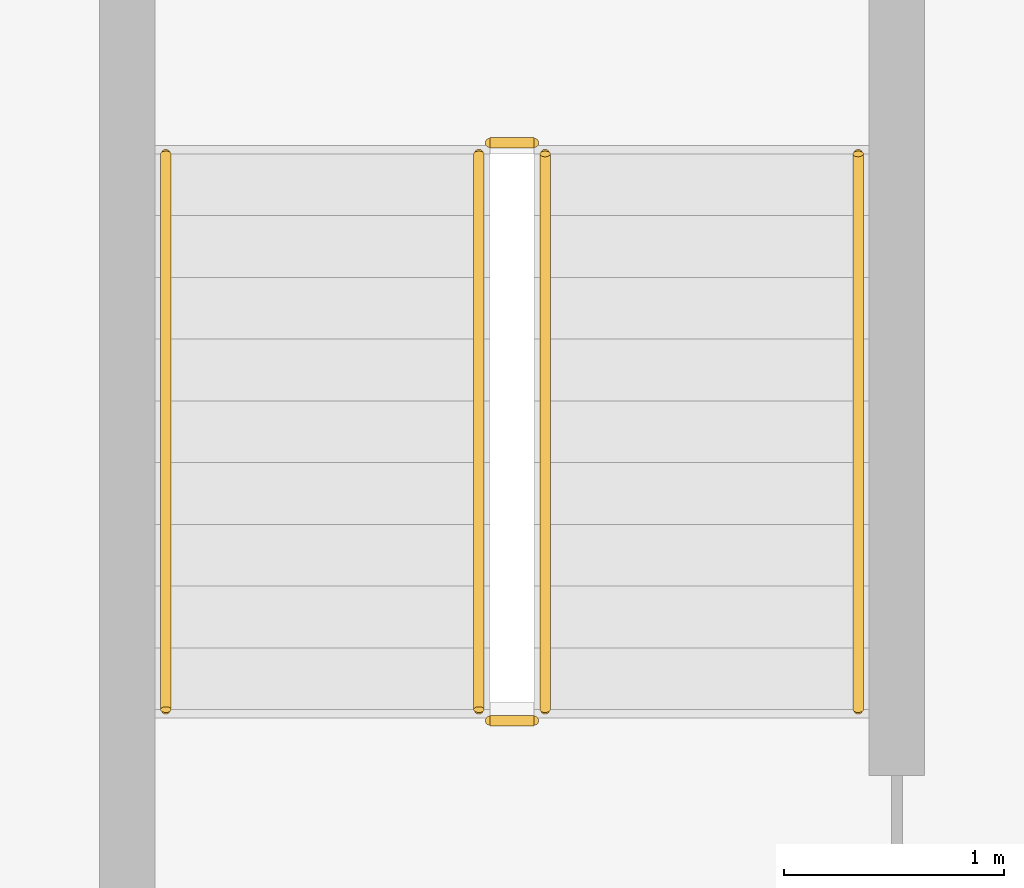
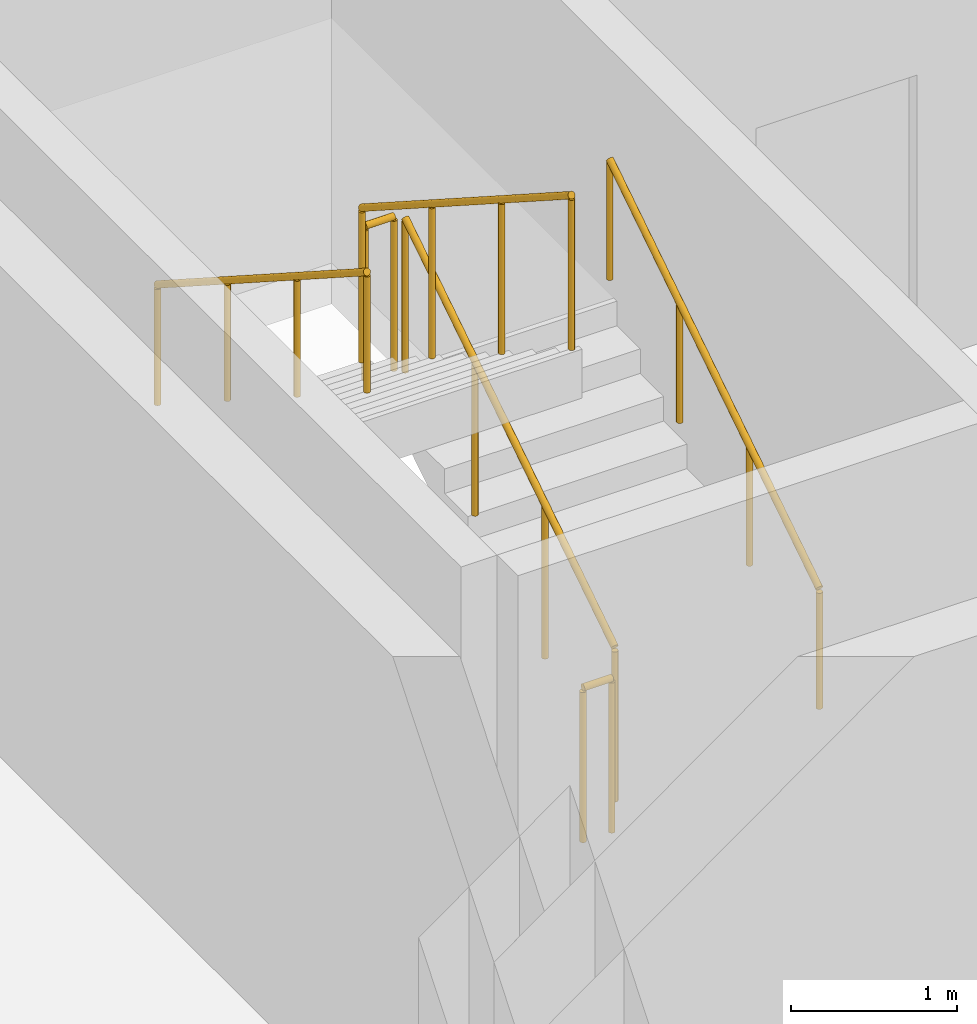
# One storey, part 16 of 22: 6 railings.
"""IFC4 building model written with IfcOpenShell, lengths in metres."""

from ifc_helpers import new_model, si_unit, direction, frame, origin, origin_2d, place, context, subcontext, project, spatial, circle, extrude, material, type_object, element, save


model = new_model("IFC4")

# Units and contexts
model_context = context("Model", 3, precision=1e-05, world=origin(), true_north=direction((0.0, 1.0)))
body_context = subcontext(model_context, "Body", "Model", "MODEL_VIEW")
ifc_project = project(units=[si_unit("LENGTHUNIT", "METRE"), si_unit("AREAUNIT", "SQUARE_METRE"), si_unit("VOLUMEUNIT", "CUBIC_METRE"), si_unit("PLANEANGLEUNIT", "RADIAN"), si_unit("MASSUNIT", "GRAM", prefix="KILO")], contexts=[model_context])

# Site, building, storey
site_placement = place(None, origin())
site = spatial("IfcSite", under=ifc_project, at=site_placement, CompositionType="ELEMENT")
building_placement = place(site_placement, origin())
building = spatial("IfcBuilding", under=site, at=building_placement, Name="Korimba Cascade Residences", CompositionType="ELEMENT")
storey_placement = place(building_placement, frame((0.0, 0.0, -7.199951171875)))
storey = spatial("IfcBuildingStorey", under=building, at=storey_placement, Name="B02", CompositionType="ELEMENT", Elevation=-7.199951171875)

# Railings
ifc_material_1 = material(Name="Painted Steel Stairwell Guardrail", Category="steel")
railing_type_1 = type_object("IfcRailingType", Name="RLG-ST-GD1150", PredefinedType="GUARDRAIL", material=ifc_material_1)
railing_1_placement = place(storey_placement, frame((84.77001953125, 22.050048828125, 0.179931640625)))
element("IfcRailing", 1, at=railing_1_placement, inside=storey, type_object=railing_type_1, Name="B02 ST-E1 stair guard 1", PredefinedType="GUARDRAIL", context=body_context, shape_type="SweptSolid", body=[
    extrude(circle(Radius=0.02392578125, at=origin_2d()), frame((0.0, 0.0, 1.1259765625), z_axis=(0.0, 0.841162588446, 0.540782303519), x_axis=(-1.0, 0.0, 0.0)), (0.0, 0.0, 1.0), 2.995849609375),
    extrude(circle(Radius=0.02099609375, at=origin_2d()), origin(), (0.0, 0.0, 1.0), 1.101806640625),
    extrude(circle(Radius=0.02099609375, at=origin_2d()), frame((0.0, 0.840087890625, 0.5400390625)), (0.0, 0.0, 1.0), 1.101806640625),
    extrude(circle(Radius=0.02099609375, at=origin_2d()), frame((0.0, 1.679931640625, 1.080078125)), (0.0, 0.0, 1.0), 1.101806640625),
    extrude(circle(Radius=0.02099609375, at=origin_2d()), frame((0.0, 2.52001953125, 1.6201171875)), (0.0, 0.0, 1.0), 1.101806640625),
])
railing_2_placement = place(storey_placement, frame((84.719970703125, 24.6201171875, 1.800048828125)))
element("IfcRailing", 2, at=railing_2_placement, inside=storey, type_object=railing_type_1, Name="B02 ST-E1 stair guard 2", PredefinedType="GUARDRAIL", context=body_context, shape_type="SweptSolid", body=[
    extrude(circle(Radius=0.02392578125, at=origin_2d()), frame((0.0, 0.0, 1.1259765625), z_axis=(-1.0, 0.0, 0.0), x_axis=(0.0, -1.0, 0.0)), (0.0, 0.0, 1.0), 0.199951171875),
    extrude(circle(Radius=0.02099609375, at=origin_2d()), origin(), (0.0, 0.0, 1.0), 1.101806640625),
    extrude(circle(Radius=0.02099609375, at=origin_2d()), frame((-0.199951171875, 0.0, 0.0)), (0.0, 0.0, 1.0), 1.101806640625),
])
railing_3_placement = place(storey_placement, frame((84.469970703125, 24.570068359375, 1.97998046875)))
element("IfcRailing", 3, at=railing_3_placement, inside=storey, type_object=railing_type_1, Name="B02 ST-E1 stair guard 3", PredefinedType="GUARDRAIL", context=body_context, shape_type="SweptSolid", body=[
    extrude(circle(Radius=0.02392578125, at=origin_2d()), frame((0.0, 0.0, 1.1259765625), z_axis=(0.0, -0.841199657755, 0.540724639528), x_axis=(1.0, 0.0, 0.0)), (0.0, 0.0, 1.0), 2.995849609375),
    extrude(circle(Radius=0.02099609375, at=origin_2d()), origin(), (0.0, 0.0, 1.0), 1.101806640625),
    extrude(circle(Radius=0.02099609375, at=origin_2d()), frame((0.0, -0.840087890625, 0.5400390625)), (0.0, 0.0, 1.0), 1.101806640625),
    extrude(circle(Radius=0.02099609375, at=origin_2d()), frame((0.0, -1.679931640625, 1.079833984375)), (0.0, 0.0, 1.0), 1.101806640625),
    extrude(circle(Radius=0.02099609375, at=origin_2d()), frame((0.0, -2.52001953125, 1.619873046875)), (0.0, 0.0, 1.0), 1.101806640625),
])
railing_4_placement = place(storey_placement, frame((84.719970703125, 22.0, 0.0)))
element("IfcRailing", 4, at=railing_4_placement, inside=storey, type_object=railing_type_1, Name="B02 ST-E1 stair guard 4", PredefinedType="GUARDRAIL", context=body_context, shape_type="SweptSolid", body=[
    extrude(circle(Radius=0.02392578125, at=origin_2d()), frame((0.0, 0.0, 1.1259765625), z_axis=(-1.0, 0.0, 0.0), x_axis=(0.0, -1.0, 0.0)), (0.0, 0.0, 1.0), 0.199951171875),
    extrude(circle(Radius=0.02099609375, at=origin_2d()), origin(), (0.0, 0.0, 1.0), 1.101806640625),
    extrude(circle(Radius=0.02099609375, at=origin_2d()), frame((-0.199951171875, 0.0, 0.0)), (0.0, 0.0, 1.0), 1.101806640625),
])
ifc_material_2 = material(Name="Brushed Stainless Steel Handrail", Category="steel")
railing_type_2 = type_object("IfcRailingType", Name="RLG-ST-HR900", PredefinedType="HANDRAIL", material=ifc_material_2)
railing_5_placement = place(storey_placement, frame((86.18994140625, 22.050048828125, 0.36376953125)))
element("IfcRailing", 5, at=railing_5_placement, inside=storey, type_object=railing_type_2, Name="B02 ST-E1 stair handrail 1", PredefinedType="HANDRAIL", context=body_context, shape_type="SweptSolid", body=[
    extrude(circle(Radius=0.02392578125, at=origin_2d()), frame((0.0, 0.0, 0.8759765625), z_axis=(0.0, 0.841199657755, 0.540724639528), x_axis=(-1.0, 0.0, 0.0)), (0.0, 0.0, 1.0), 2.995849609375),
    extrude(circle(Radius=0.02099609375, at=origin_2d()), origin(), (0.0, 0.0, 1.0), 0.851806640625),
    extrude(circle(Radius=0.02099609375, at=origin_2d()), frame((0.0, 0.840087890625, 0.5400390625)), (0.0, 0.0, 1.0), 0.851806640625),
    extrude(circle(Radius=0.02099609375, at=origin_2d()), frame((0.0, 1.679931640625, 1.079833984375)), (0.0, 0.0, 1.0), 0.851806640625),
    extrude(circle(Radius=0.02099609375, at=origin_2d()), frame((0.0, 2.52001953125, 1.619873046875)), (0.0, 0.0, 1.0), 0.851806640625),
])
railing_6_placement = place(storey_placement, frame((83.050048828125, 24.570068359375, 2.163818359375)))
element("IfcRailing", 6, at=railing_6_placement, inside=storey, type_object=railing_type_2, Name="B02 ST-E1 stair handrail 2", PredefinedType="HANDRAIL", context=body_context, shape_type="SweptSolid", body=[
    extrude(circle(Radius=0.02392578125, at=origin_2d()), frame((0.0, 0.0, 0.8759765625), z_axis=(0.0, -0.841199657755, 0.540724639528), x_axis=(1.0, 0.0, 0.0)), (0.0, 0.0, 1.0), 2.995849609375),
    extrude(circle(Radius=0.02099609375, at=origin_2d()), origin(), (0.0, 0.0, 1.0), 0.851806640625),
    extrude(circle(Radius=0.02099609375, at=origin_2d()), frame((0.0, -0.840087890625, 0.5400390625)), (0.0, 0.0, 1.0), 0.851806640625),
    extrude(circle(Radius=0.02099609375, at=origin_2d()), frame((0.0, -1.679931640625, 1.079833984375)), (0.0, 0.0, 1.0), 0.851806640625),
    extrude(circle(Radius=0.02099609375, at=origin_2d()), frame((0.0, -2.52001953125, 1.619873046875)), (0.0, 0.0, 1.0), 0.851806640625),
])

save(model, "model.ifc")
